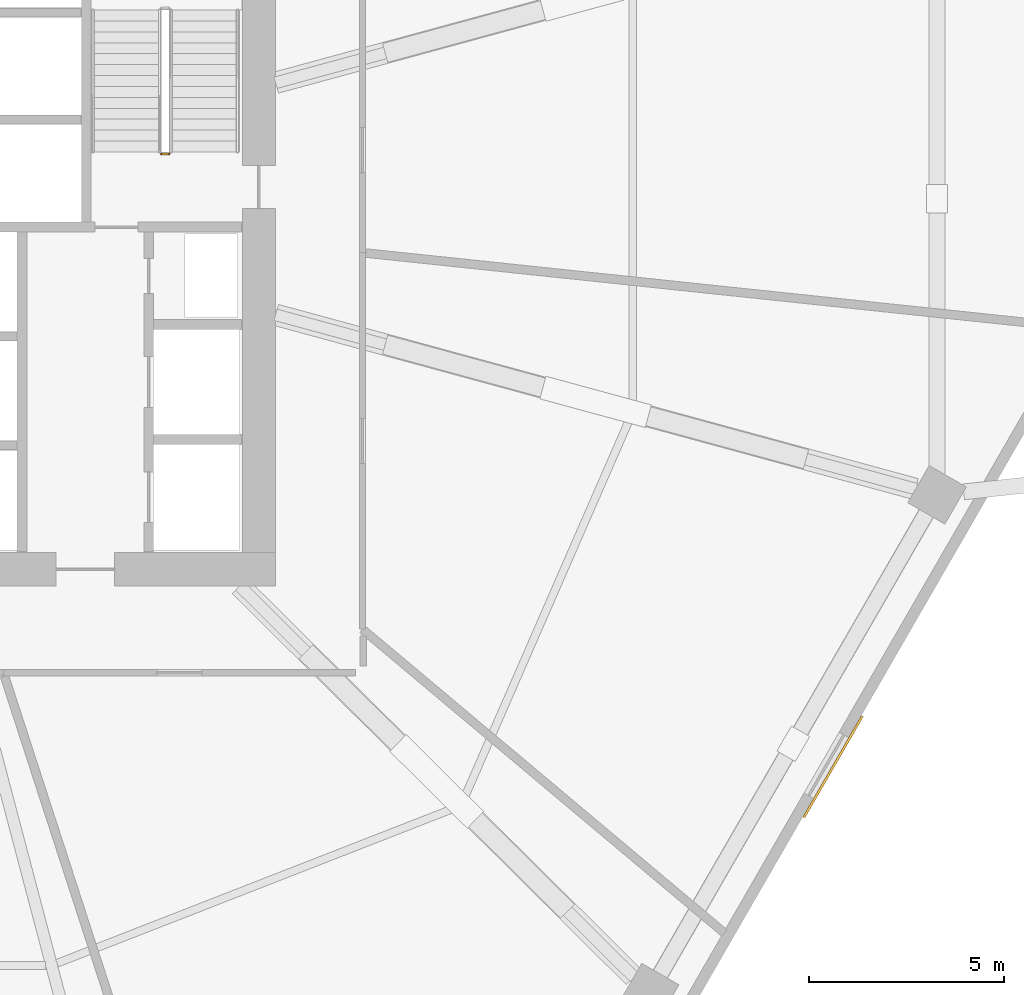
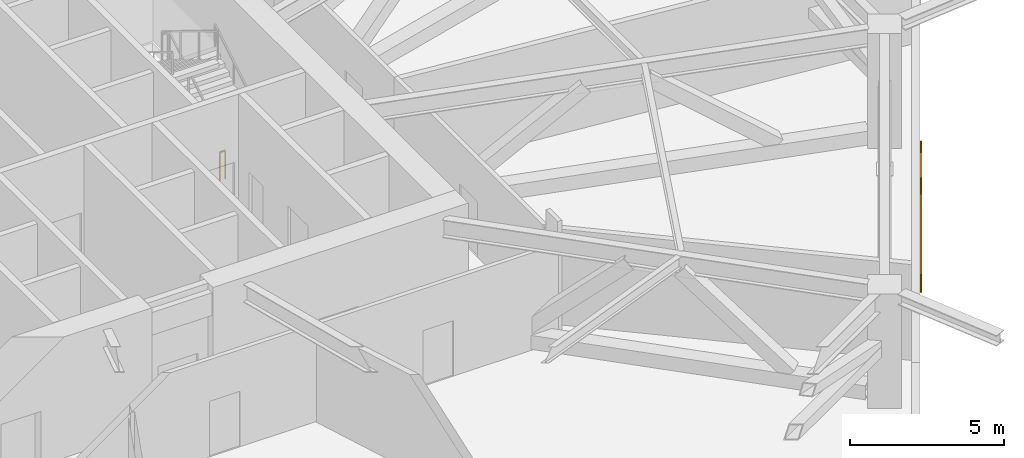
# One storey, part 8 of 10: 1 railing, 1 shading device.
"""IFC4 building model written with IfcOpenShell, lengths in metres."""

from ifc_helpers import new_model, si_unit, direction, frame, origin, origin_2d, place, context, subcontext, project, spatial, rectangle, extrude, material, layer, layer_set, type_object, element, save


model = new_model("IFC4")

# Units and contexts
model_context = context("Model", 3, precision=1e-05, world=origin(), true_north=direction((0.0, 1.0)))
body_context = subcontext(model_context, "Body", "Model", "MODEL_VIEW")
ifc_project = project(units=[si_unit("LENGTHUNIT", "METRE"), si_unit("AREAUNIT", "SQUARE_METRE"), si_unit("VOLUMEUNIT", "CUBIC_METRE"), si_unit("PLANEANGLEUNIT", "RADIAN"), si_unit("MASSUNIT", "GRAM", prefix="KILO")], contexts=[model_context])

# Site, building, storey
site_placement = place(None, origin())
site = spatial("IfcSite", under=ifc_project, at=site_placement, CompositionType="ELEMENT")
building_placement = place(site_placement, origin())
building = spatial("IfcBuilding", under=site, at=building_placement, Name="Zuhravey Tower", CompositionType="ELEMENT")
storey_placement = place(building_placement, frame((0.0, 0.0, 87.60009765625)))
storey = spatial("IfcBuildingStorey", under=building, at=storey_placement, Name="L21", CompositionType="ELEMENT", Elevation=87.60009765625)

# Shading device
ifc_material_1 = material(Name="Bronze-anodised perforated aluminium", Category="aluminium")
ifc_layer = layer(ifc_material_1, 0.06005859375)
ifc_layer_set = layer_set([ifc_layer], Name="Bronze-anodised perforated aluminium")
shading_device_type = type_object("IfcShadingDeviceType", Name="Girih Mashrabiya Solar Screen", PredefinedType="USERDEFINED", material=ifc_layer_set)
shading_device_placement = place(storey_placement, frame((61.22607421875, 17.435791015625, 0.099609375), z_axis=(0.0, 0.0, 1.0), x_axis=(-0.5, -0.866025403784, 0.0)))
element("IfcShadingDevice", 1, at=shading_device_placement, inside=storey, type_object=shading_device_type, Name="L21 Face 6 Girih Solar Screen SCR1", ObjectType="SCREEN", PredefinedType="USERDEFINED", context=body_context, shape_type="SweptSolid", body=[
    extrude(rectangle(XDim=3.0, YDim=0.06005859375, at=origin_2d()), origin(), (0.0, 0.0, 1.0), 3.922119140625),
])

# Railing
ifc_material_2 = material(Name="Painted tubular steel", Category="steel")
railing_type = type_object("IfcRailingType", Name="Stair Well Guardrail 1150", PredefinedType="GUARDRAIL", material=ifc_material_2)
railing_placement = place(storey_placement, frame((44.199951171875, 33.14990234375, 0.0)))
element("IfcRailing", 2, at=railing_placement, inside=storey, type_object=railing_type, Name="L21 ST2 stair guard 4", PredefinedType="GUARDRAIL", context=body_context, shape_type="SweptSolid", body=[
    extrude(rectangle(XDim=0.048095703125, YDim=0.048095703125, at=origin_2d()), frame((-0.001953125, 0.0, 1.1259765625), z_axis=(-1.0, 0.0, 0.0), x_axis=(0.0, -1.0, 0.0)), (0.0, 0.0, 1.0), 0.196044921875),
    extrude(rectangle(XDim=0.0419921875, YDim=0.0419921875, at=origin_2d()), origin(), (0.0, 0.0, 1.0), 1.099853515625),
    extrude(rectangle(XDim=0.0419921875, YDim=0.0419921875, at=origin_2d()), frame((-0.199951171875, 0.0, 0.0)), (0.0, 0.0, 1.0), 1.099853515625),
])

save(model, "model.ifc")
